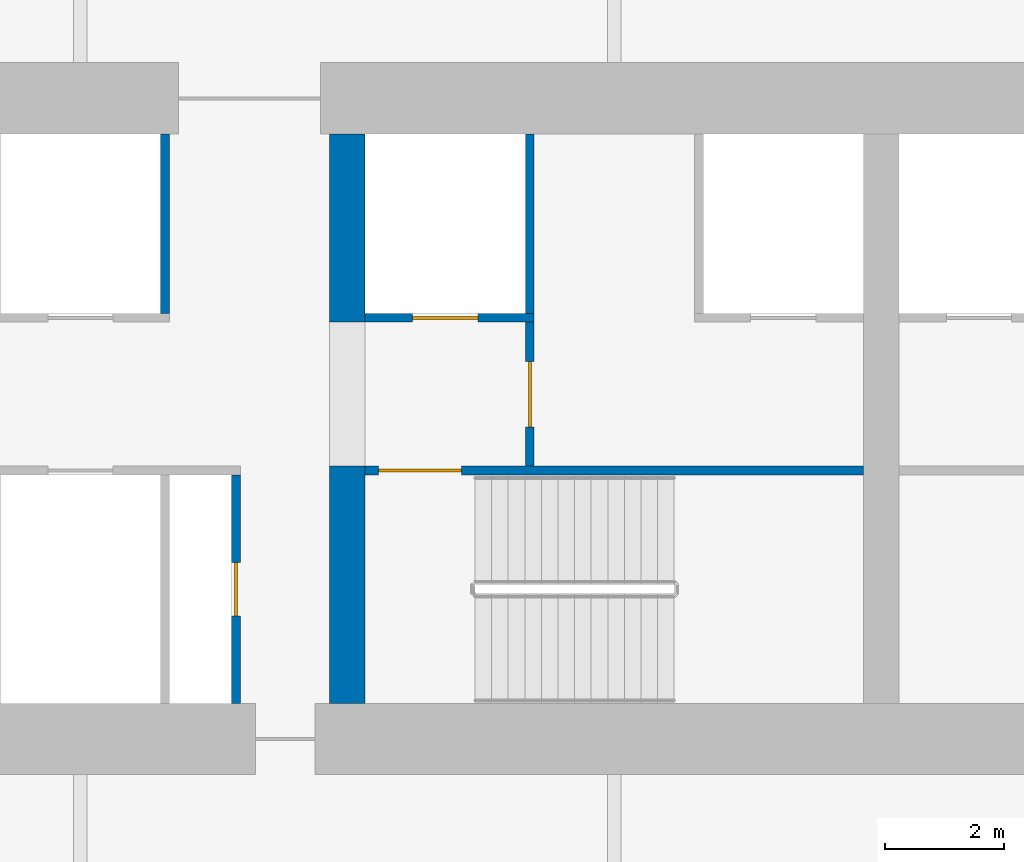
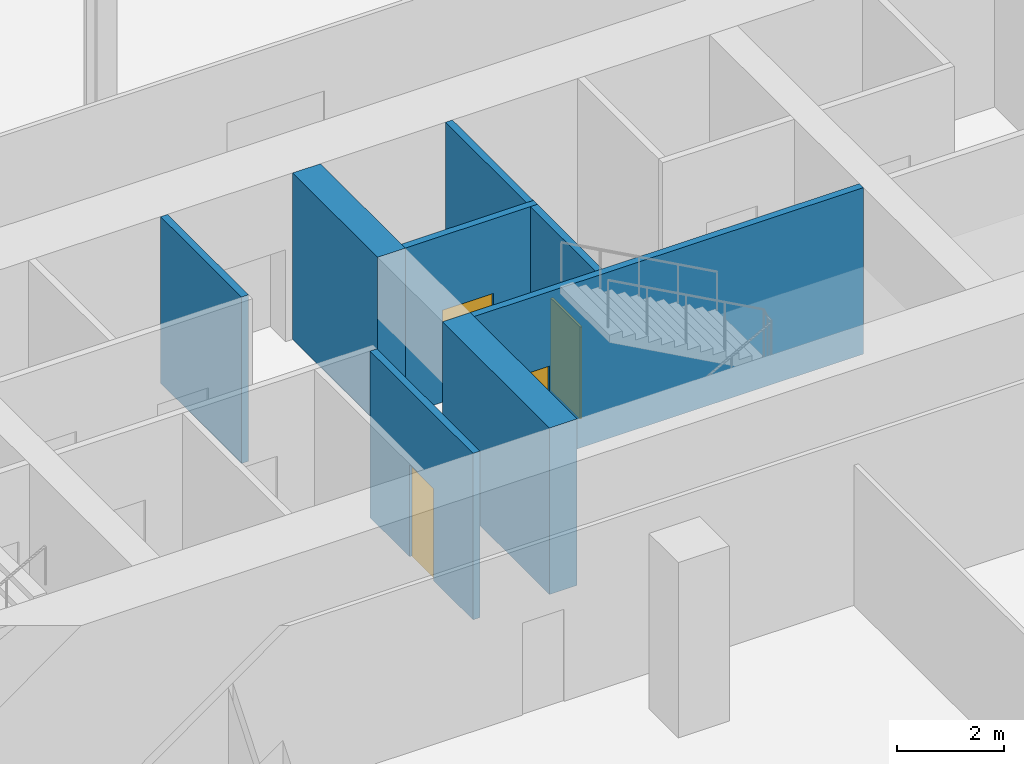
# One storey, part 4 of 11: 8 walls, 4 doors, 4 openings.
"""IFC4 building model written with IfcOpenShell, lengths in metres."""

from ifc_helpers import new_model, si_unit, direction, frame, frame_2d, origin, place, context, subcontext, project, spatial, rectangle, extrude, material, layer, layer_set, type_object, element, fill, save


model = new_model("IFC4")

# Units and contexts
model_context = context("Model", 3, precision=1e-05, world=origin(), true_north=direction((0.0, 1.0)))
body_context = subcontext(model_context, "Body", "Model", "MODEL_VIEW")
ifc_project = project(units=[si_unit("LENGTHUNIT", "METRE"), si_unit("AREAUNIT", "SQUARE_METRE"), si_unit("VOLUMEUNIT", "CUBIC_METRE"), si_unit("PLANEANGLEUNIT", "RADIAN"), si_unit("MASSUNIT", "GRAM", prefix="KILO")], contexts=[model_context])

# Site, building, storey
site_placement = place(None, origin())
site = spatial("IfcSite", under=ifc_project, at=site_placement, CompositionType="ELEMENT")
building_placement = place(site_placement, origin())
building = spatial("IfcBuilding", under=site, at=building_placement, Name="Zellij Exchange Tower", CompositionType="ELEMENT")
storey_placement = place(building_placement, frame((0.0, 0.0, 56.5)))
storey = spatial("IfcBuildingStorey", under=building, at=storey_placement, Name="L10", CompositionType="ELEMENT", Elevation=56.5)

# Walls
ifc_material_1 = material(Name="Concrete C70/85", Category="concrete")
ifc_layer_1 = layer(ifc_material_1, 0.60009765625)
ifc_layer_set_1 = layer_set([ifc_layer_1], Name="Concrete C70/85")
wall_type_1 = type_object("IfcWallType", Name="CORE-CW 600 C70/85", PredefinedType="SHEAR", material=ifc_layer_set_1)
wall_1_placement = place(storey_placement, frame((-9.0, -12.800048828125, 0.0), z_axis=(0.0, 0.0, 1.0), x_axis=(0.0, 1.0, 0.0)))
element("IfcWall", 1, at=wall_1_placement, inside=storey, type_object=wall_type_1, Name="Core cross wall pier x -9 a L10", PredefinedType="SHEAR", context=body_context, shape_type="SweptSolid", body=[
    extrude(rectangle(XDim=4.0, YDim=0.60009765625, at=frame_2d((2.0, 0.0))), origin(), (0.0, 0.0, 1.0), 3.800048828125),
])
wall_2_placement = place(storey_placement, frame((-9.0, -6.375, 0.0), z_axis=(0.0, 0.0, 1.0), x_axis=(0.0, 1.0, 0.0)))
element("IfcWall", 2, at=wall_2_placement, inside=storey, type_object=wall_type_1, Name="Core cross wall pier x -9 b L10", PredefinedType="SHEAR", context=body_context, shape_type="SweptSolid", body=[
    extrude(rectangle(XDim=3.175048828125, YDim=0.60009765625, at=frame_2d((1.58740234375, 0.0))), origin(), (0.0, 0.0, 1.0), 3.800048828125),
])

# Wall, opening, door
ifc_material_2 = material(Name="Gypsum shaft wall system")
ifc_layer_2 = layer(ifc_material_2, 0.14990234375)
ifc_layer_set_2 = layer_set([ifc_layer_2], Name="Gypsum shaft wall system")
wall_type_2 = type_object("IfcWallType", Name="CORE-PW 150 Firefighting lobby wall", PredefinedType="PARTITIONING", material=ifc_layer_set_2)
wall_3_placement = place(storey_placement, frame((-5.925048828125, -8.800048828125, 0.0), z_axis=(0.0, 0.0, 1.0), x_axis=(0.0, 1.0, 0.0)))
wall_3 = element("IfcWall", 3, at=wall_3_placement, inside=storey, type_object=wall_type_2, Name="Firefighting lobby wall L10", PredefinedType="PARTITIONING", context=body_context, shape_type="SweptSolid", body=[
    extrude(rectangle(XDim=2.425048828125, YDim=0.14990234375, at=frame_2d((1.21240234375, 0.0))), origin(), (0.0, 0.0, 1.0), 3.800048828125),
])
opening_1_placement = place(wall_3_placement, frame((0.662109375, 0.0, 0.0)))
opening_1 = element("IfcOpeningElement", 4, at=opening_1_placement, cuts=wall_3, Name="Opening CA-07.15", PredefinedType="OPENING", context=body_context, shape_type="SweptSolid", body=[
    extrude(rectangle(XDim=1.10009765625, YDim=2.10009765625, at=frame_2d((0.550048828125, 1.050048828125))), frame((0.0, 0.0869140625, 0.0), z_axis=(0.0, -1.0, 0.0), x_axis=(1.0, 0.0, 0.0)), (0.0, 0.0, 1.0), 0.173828125),
])
ifc_material_3 = material(Name="Hollow metal fire door")
door_type_1 = type_object("IfcDoorType", Name="CORE-D F Firefighting lobby door 1100x2100 1 HR", OperationType="NOTDEFINED", PredefinedType="DOOR", material=ifc_material_3)
door_1_placement = place(opening_1_placement, origin())
door_1 = element("IfcDoor", 5, at=door_1_placement, inside=storey, type_object=door_type_1, Name="Firefighting lobby door CA-07.15", OperationType="SINGLE_SWING_LEFT", OverallHeight=2.10009765625, OverallWidth=1.10009765625, PredefinedType="DOOR", context=body_context, shape_type="SweptSolid", body=[
    extrude(rectangle(XDim=1.10009765625, YDim=2.10009765625, at=frame_2d((0.550048828125, 1.050048828125))), frame((0.0, 0.02490234375, 0.0), z_axis=(0.0, -1.0, 0.0), x_axis=(1.0, 0.0, 0.0)), (0.0, 0.0, 1.0), 0.050048828125),
])
fill(opening_1, door_1)

ifc_material_4 = material(Name="Gypsum board partition")
ifc_layer_3 = layer(ifc_material_4, 0.14990234375)
ifc_layer_set_3 = layer_set([ifc_layer_3], Name="Gypsum board partition")
wall_type_3 = type_object("IfcWallType", Name="CORE-PW 150 Lift lobby wall", PredefinedType="PARTITIONING", material=ifc_layer_set_3)
wall_4_placement = place(storey_placement, frame((-10.875, -12.800048828125, 0.0), z_axis=(0.0, 0.0, 1.0), x_axis=(0.0, 1.0, 0.0)))
wall_4 = element("IfcWall", 6, at=wall_4_placement, inside=storey, type_object=wall_type_3, Name="Lift lobby wall L10", PredefinedType="PARTITIONING", context=body_context, shape_type="SweptSolid", body=[
    extrude(rectangle(XDim=3.85009765625, YDim=0.14990234375, at=frame_2d((1.925048828125, 0.0))), origin(), (0.0, 0.0, 1.0), 3.800048828125),
])
opening_2_placement = place(wall_4_placement, frame((1.47509765625, 0.0, 0.0)))
opening_2 = element("IfcOpeningElement", 7, at=opening_2_placement, cuts=wall_4, Name="Opening CA-07.10", PredefinedType="OPENING", context=body_context, shape_type="SweptSolid", body=[
    extrude(rectangle(XDim=0.89990234375, YDim=2.10009765625, at=frame_2d((0.449951171875, 1.050048828125))), frame((0.0, 0.0869140625, 0.0), z_axis=(0.0, -1.0, 0.0), x_axis=(1.0, 0.0, 0.0)), (0.0, 0.0, 1.0), 0.173828125),
])
door_type_2 = type_object("IfcDoorType", Name="CORE-D RD Riser door 900x2100 1.5 HR", OperationType="NOTDEFINED", PredefinedType="DOOR", material=ifc_material_3)
door_2_placement = place(opening_2_placement, origin())
door_2 = element("IfcDoor", 8, at=door_2_placement, inside=storey, type_object=door_type_2, Name="Riser door CA-07.10", OperationType="SINGLE_SWING_RIGHT", OverallHeight=2.10009765625, OverallWidth=0.89990234375, PredefinedType="DOOR", context=body_context, shape_type="SweptSolid", body=[
    extrude(rectangle(XDim=0.89990234375, YDim=2.10009765625, at=frame_2d((0.449951171875, 1.050048828125))), frame((0.0, 0.02490234375, 0.0), z_axis=(0.0, -1.0, 0.0), x_axis=(1.0, 0.0, 0.0)), (0.0, 0.0, 1.0), 0.050048828125),
])
fill(opening_2, door_2)

# Walls
ifc_layer_4 = layer(ifc_material_2, 0.14990234375)
ifc_layer_set_4 = layer_set([ifc_layer_4], Name="Gypsum shaft wall system")
wall_type_4 = type_object("IfcWallType", Name="CORE-PW 150 Lift shaft wall", PredefinedType="PARTITIONING", material=ifc_layer_set_4)
for number, where, z_axis, x_axis, name in (
    (9, (-12.074951171875, -6.22509765625, 0.0), (0.0, 0.0, 1.0), (0.0, 1.0, 0.0), "Lift shaft wall L10"),
    (10, (-5.925048828125, -6.22509765625, 0.0), (0.0, 0.0, 1.0), (0.0, 1.0, 0.0), "Lift shaft wall L10"),
):
    element("IfcWall", number, at=place(storey_placement, frame(where, z_axis=z_axis, x_axis=x_axis)), inside=storey, type_object=wall_type_4, Name=name, PredefinedType="PARTITIONING", context=body_context, shape_type="SweptSolid", body=[
        extrude(rectangle(XDim=3.025146484375, YDim=0.14990234375, at=frame_2d((1.5126953125, 0.0))), origin(), (0.0, 0.0, 1.0), 3.800048828125),
    ])

# Wall, opening, door
wall_5_placement = place(storey_placement, frame((-8.699951171875, -6.300048828125, 0.0), z_axis=(0.0, 0.0, 1.0), x_axis=(1.0, 0.0, 0.0)))
wall_5 = element("IfcWall", 11, at=wall_5_placement, inside=storey, type_object=wall_type_4, Name="Lift shaft wall L10", PredefinedType="PARTITIONING", context=body_context, shape_type="SweptSolid", body=[
    extrude(rectangle(XDim=2.849853515625, YDim=0.14990234375, at=frame_2d((1.4248046875, 0.0))), origin(), (0.0, 0.0, 1.0), 3.800048828125),
])
opening_3_placement = place(wall_5_placement, frame((0.800048828125, 0.0, 0.0)))
opening_3 = element("IfcOpeningElement", 12, at=opening_3_placement, cuts=wall_5, Name="Opening CA-07.14", PredefinedType="OPENING", context=body_context, shape_type="SweptSolid", body=[
    extrude(rectangle(XDim=1.10009765625, YDim=2.10009765625, at=frame_2d((0.550048828125, 1.050048828125))), frame((0.0, 0.0869140625, 0.0), z_axis=(0.0, -1.0, 0.0), x_axis=(1.0, 0.0, 0.0)), (0.0, 0.0, 1.0), 0.173828125),
])
door_type_3 = type_object("IfcDoorType", Name="CORE-D LD Lift landing door 1100x2100 1.5 HR", OperationType="NOTDEFINED", PredefinedType="DOOR", material=ifc_material_3)
door_3_placement = place(opening_3_placement, origin())
door_3 = element("IfcDoor", 13, at=door_3_placement, inside=storey, type_object=door_type_3, Name="Lift landing door CA-07.14", OperationType="SLIDING_TO_RIGHT", OverallHeight=2.10009765625, OverallWidth=1.10009765625, PredefinedType="DOOR", context=body_context, shape_type="SweptSolid", body=[
    extrude(rectangle(XDim=1.10009765625, YDim=2.10009765625, at=frame_2d((0.550048828125, 1.050048828125))), frame((0.0, 0.02490234375, 0.0), z_axis=(0.0, -1.0, 0.0), x_axis=(1.0, 0.0, 0.0)), (0.0, 0.0, 1.0), 0.050048828125),
])
fill(opening_3, door_3)

ifc_layer_5 = layer(ifc_material_1, 0.14990234375)
ifc_layer_set_5 = layer_set([ifc_layer_5], Name="Concrete C70/85")
wall_type_5 = type_object("IfcWallType", Name="CORE-SWS 150 C70/85", PredefinedType="SHEAR", material=ifc_layer_set_5)
wall_6_placement = place(storey_placement, frame((-8.699951171875, -8.875, 0.0), z_axis=(0.0, 0.0, 1.0), x_axis=(1.0, 0.0, 0.0)))
wall_6 = element("IfcWall", 14, at=wall_6_placement, inside=storey, type_object=wall_type_5, Name="Stair enclosure wall L10", PredefinedType="SHEAR", context=body_context, shape_type="SweptSolid", body=[
    extrude(rectangle(XDim=8.39990234375, YDim=0.14990234375, at=frame_2d((4.199951171875, 0.0))), origin(), (0.0, 0.0, 1.0), 3.800048828125),
])
opening_4_placement = place(wall_6_placement, frame((0.22509765625, 0.0, 0.0)))
opening_4 = element("IfcOpeningElement", 15, at=opening_4_placement, cuts=wall_6, Name="Opening CA-07.13", PredefinedType="OPENING", context=body_context, shape_type="SweptSolid", body=[
    extrude(rectangle(XDim=1.39990234375, YDim=2.10009765625, at=frame_2d((0.699951171875, 1.050048828125))), frame((0.0, 0.0869140625, 0.0), z_axis=(0.0, -1.0, 0.0), x_axis=(1.0, 0.0, 0.0)), (0.0, 0.0, 1.0), 0.173828125),
])
door_type_4 = type_object("IfcDoorType", Name="CORE-D SD Stair door 1400x2100 1.5 HR", OperationType="NOTDEFINED", PredefinedType="DOOR", material=ifc_material_3)
door_4_placement = place(opening_4_placement, origin())
door_4 = element("IfcDoor", 16, at=door_4_placement, inside=storey, type_object=door_type_4, Name="Stair door CA-07.13", OperationType="DOUBLE_DOOR_SINGLE_SWING", OverallHeight=2.10009765625, OverallWidth=1.39990234375, PredefinedType="DOOR", context=body_context, shape_type="SweptSolid", body=[
    extrude(rectangle(XDim=1.39990234375, YDim=2.10009765625, at=frame_2d((0.699951171875, 1.050048828125))), frame((0.0, 0.02490234375, 0.0), z_axis=(0.0, -1.0, 0.0), x_axis=(1.0, 0.0, 0.0)), (0.0, 0.0, 1.0), 0.050048828125),
])
fill(opening_4, door_4)

save(model, "model.ifc")
